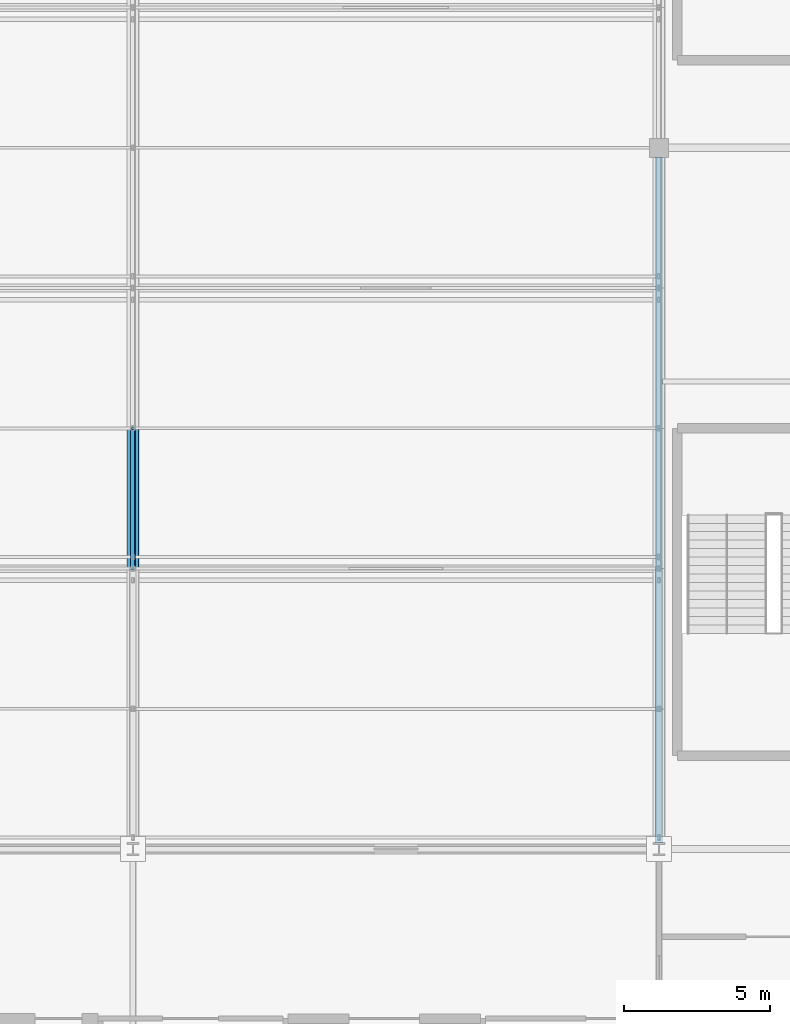
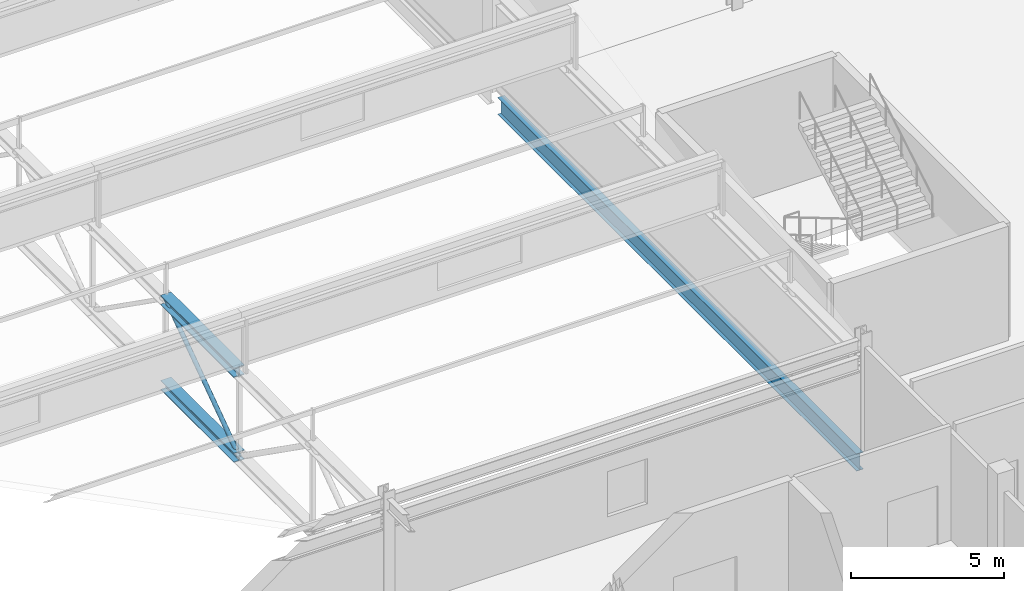
# One storey, part 64 of 136: 3 beams, 1 member.
"""IFC4 building model written with IfcOpenShell, lengths in metres."""

from ifc_helpers import new_model, si_unit, direction, frame, origin, origin_2d, place, context, subcontext, project, spatial, hollow_circle, i_section, extrude, material, material_profile, profile_set, type_object, element, save


model = new_model("IFC4")

# Units and contexts
model_context = context("Model", 3, precision=1e-05, world=origin(), true_north=direction((0.0, 1.0)))
body_context = subcontext(model_context, "Body", "Model", "MODEL_VIEW")
ifc_project = project(units=[si_unit("LENGTHUNIT", "METRE"), si_unit("AREAUNIT", "SQUARE_METRE"), si_unit("VOLUMEUNIT", "CUBIC_METRE"), si_unit("PLANEANGLEUNIT", "RADIAN"), si_unit("MASSUNIT", "GRAM", prefix="KILO")], contexts=[model_context])

# Site, building, storey
site_placement = place(None, origin())
site = spatial("IfcSite", under=ifc_project, at=site_placement, CompositionType="ELEMENT")
building_placement = place(site_placement, origin())
building = spatial("IfcBuilding", under=site, at=building_placement, Name="Kisiwana Market Hall", CompositionType="ELEMENT")
storey_placement = place(building_placement, frame((0.0, 0.0, 16.800048828125)))
storey = spatial("IfcBuildingStorey", under=building, at=storey_placement, Name="L03", CompositionType="ELEMENT", Elevation=16.800048828125)

# Beams
ifc_material_1 = material(Name="Steel S355", Category="steel")
ifc_material_profile_1 = material_profile(ifc_material_1, i_section(OverallWidth=0.253662109375, OverallDepth=0.68359375, WebThickness=0.012451171875, FlangeThickness=0.01904296875, at=origin_2d()), Name="UB 686x254x140")
ifc_profile_set_1 = profile_set([ifc_material_profile_1], Name="Steel S355")
beam_type_1 = type_object("IfcBeamType", Name="BM-GIRD-UB686", PredefinedType="BEAM", material=ifc_profile_set_1)
beam_1_placement = place(storey_placement, frame((153.0, 36.21337890625, -0.591796875), z_axis=(0.0, 1.0, 0.0), x_axis=(-1.0, 0.0, 0.0)))
element("IfcBeam", 1, at=beam_1_placement, inside=storey, type_object=beam_type_1, Name="Floor beam B-1089", PredefinedType="BEAM", context=body_context, shape_type="SweptSolid", body=[
    extrude(i_section(OverallWidth=0.253662109375, OverallDepth=0.68359375, WebThickness=0.012451171875, FlangeThickness=0.01904296875, at=origin_2d()), origin(), (0.0, 0.0, 1.0), 23.465576171875),
])
ifc_material_2 = material(Name="Steel S355", Category="steel")
ifc_material_profile_2 = material_profile(ifc_material_2, i_section(OverallWidth=0.394775390625, OverallDepth=0.381103515625, WebThickness=0.018310546875, FlangeThickness=0.0302734375, at=origin_2d()), Name="UC 356x406x235")
ifc_profile_set_2 = profile_set([ifc_material_profile_2], Name="Steel S355")
beam_type_2 = type_object("IfcBeamType", Name="BM-TRUSS-BOT", PredefinedType="USERDEFINED", material=ifc_profile_set_2)
beam_2_placement = place(storey_placement, frame((135.0, 45.60009765625, 0.22998046875), z_axis=(0.0, 1.0, 0.0), x_axis=(-1.0, 0.0, 0.0)))
element("IfcBeam", 2, at=beam_2_placement, inside=storey, type_object=beam_type_2, Name="TR-07 BC panel 3 B-1300", ObjectType="ROOF TRUSS", PredefinedType="USERDEFINED", context=body_context, shape_type="SweptSolid", body=[
    extrude(i_section(OverallWidth=0.394775390625, OverallDepth=0.381103515625, WebThickness=0.018310546875, FlangeThickness=0.0302734375, at=origin_2d()), origin(), (0.0, 0.0, 1.0), 4.7998046875),
])
ifc_material_3 = material(Name="Steel S355", Category="steel")
ifc_material_profile_3 = material_profile(ifc_material_3, i_section(OverallWidth=0.39892578125, OverallDepth=0.3935546875, WebThickness=0.022705078125, FlangeThickness=0.03662109375, at=origin_2d()), Name="UC 356x406x287")
ifc_profile_set_3 = profile_set([ifc_material_profile_3], Name="Steel S355")
beam_type_3 = type_object("IfcBeamType", Name="BM-TRUSS-TOP", PredefinedType="USERDEFINED", material=ifc_profile_set_3)
beam_3_placement = place(storey_placement, frame((135.0, 45.60009765625, 3.619873046875), z_axis=(0.0, 1.0, 0.0), x_axis=(-1.0, 0.0, 0.0)))
element("IfcBeam", 3, at=beam_3_placement, inside=storey, type_object=beam_type_3, Name="TR-07 TC panel 3 B-1310", ObjectType="ROOF TRUSS", PredefinedType="USERDEFINED", context=body_context, shape_type="SweptSolid", body=[
    extrude(i_section(OverallWidth=0.39892578125, OverallDepth=0.3935546875, WebThickness=0.022705078125, FlangeThickness=0.03662109375, at=origin_2d()), origin(), (0.0, 0.0, 1.0), 4.7998046875),
])

# Member
ifc_material_4 = material(Name="Steel S355", Category="steel")
ifc_material_profile_4 = material_profile(ifc_material_4, hollow_circle(Radius=0.084228515625, WallThickness=0.010009765625, at=origin_2d()), Name="CHS 168.3x10.0")
ifc_profile_set_4 = profile_set([ifc_material_profile_4], Name="Steel S355")
member_type = type_object("IfcMemberType", Name="MB-TR-DIAG168", PredefinedType="BRACE", material=ifc_profile_set_4)
member_placement = place(storey_placement, frame((135.0, 45.60009765625, 0.22998046875), z_axis=(0.0, 0.816823908826, 0.576887079046), x_axis=(-1.0, 0.0, 0.0)))
element("IfcMember", 4, at=member_placement, inside=storey, type_object=member_type, Name="TR-07 diagonal 3 M-0452", PredefinedType="BRACE", context=body_context, shape_type="SweptSolid", body=[
    extrude(hollow_circle(Radius=0.084228515625, WallThickness=0.010009765625, at=origin_2d()), origin(), (0.0, 0.0, 1.0), 5.876220703125),
])

save(model, "model.ifc")
